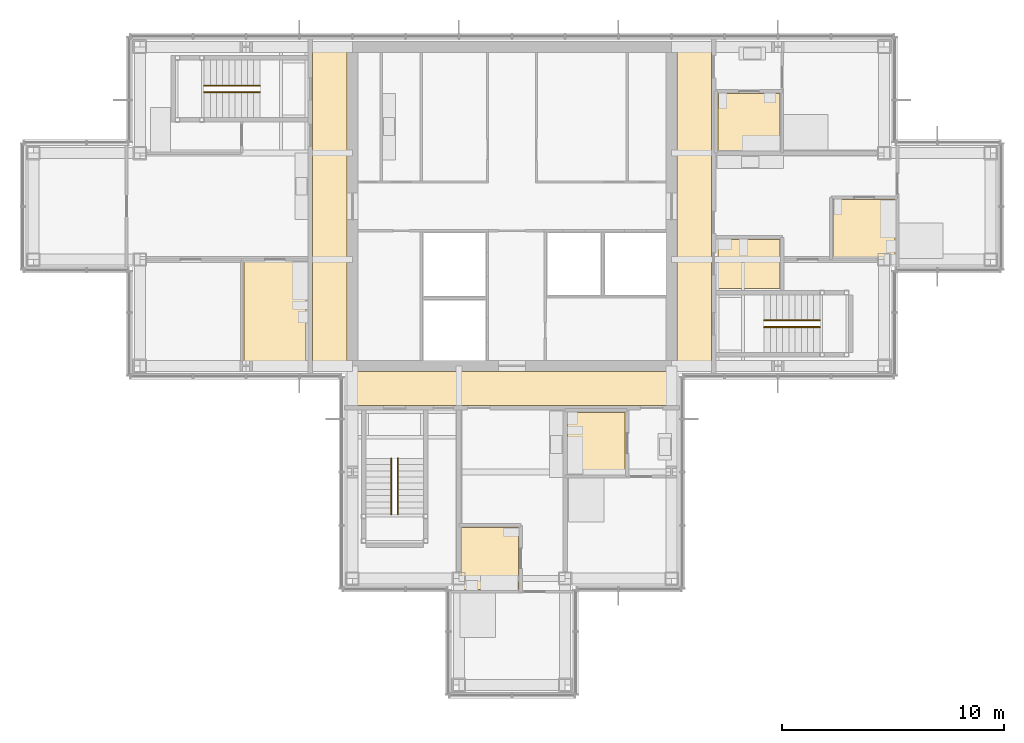
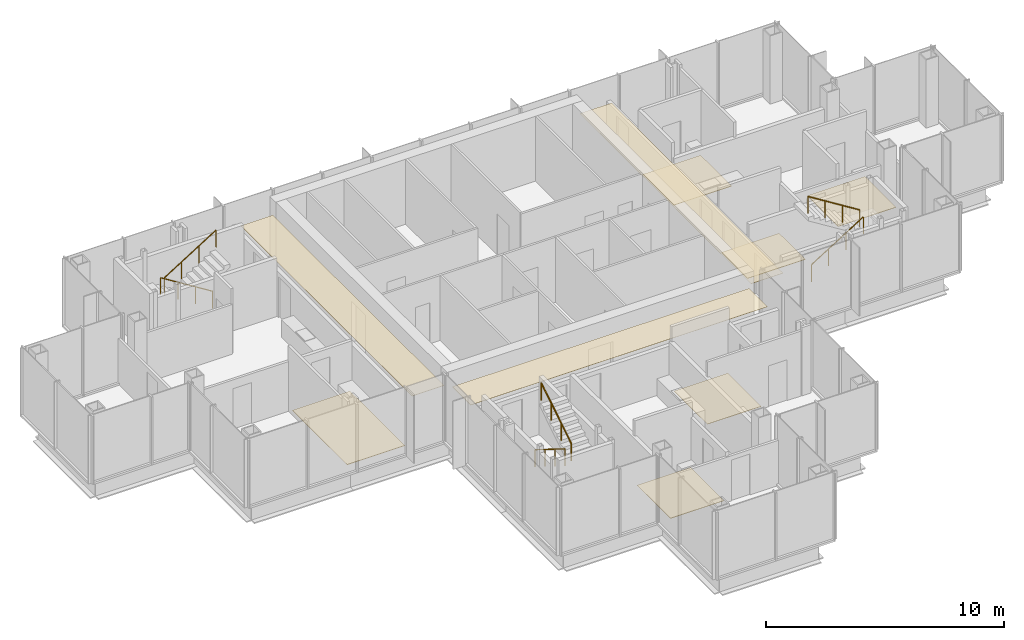
# One storey, part 13 of 15: 9 coverings, 6 railings.
"""IFC4 building model written with IfcOpenShell, lengths in metres."""

from ifc_helpers import new_model, si_unit, direction, frame, origin, origin_2d, place, context, subcontext, project, spatial, polyline, circle, outline, extrude, material, layer, layer_set, type_object, element, save


model = new_model("IFC4")

# Units and contexts
model_context = context("Model", 3, precision=1e-05, world=origin(), true_north=direction((0.0, 1.0)))
body_context = subcontext(model_context, "Body", "Model", "MODEL_VIEW")
ifc_project = project(units=[si_unit("LENGTHUNIT", "METRE"), si_unit("AREAUNIT", "SQUARE_METRE"), si_unit("VOLUMEUNIT", "CUBIC_METRE"), si_unit("PLANEANGLEUNIT", "RADIAN"), si_unit("MASSUNIT", "GRAM", prefix="KILO")], contexts=[model_context])

# Site, building, storey
site_placement = place(None, origin())
site = spatial("IfcSite", under=ifc_project, at=site_placement, CompositionType="ELEMENT")
building_placement = place(site_placement, origin())
building = spatial("IfcBuilding", under=site, at=building_placement, Name="Kvirike Care Tower", CompositionType="ELEMENT")
storey_placement = place(building_placement, frame((0.0, 0.0, 222.5)))
storey = spatial("IfcBuildingStorey", under=building, at=storey_placement, Name="L61", CompositionType="ELEMENT", Elevation=222.5)

# Coverings
ifc_material_1 = material(Name="Perforated metal ceiling tile", Category="aluminium")
ifc_layer_1 = layer(ifc_material_1, 0.014892578125)
ifc_layer_set_1 = layer_set([ifc_layer_1], Name="CORRIDOR CEILING 15")
covering_type_1 = type_object("IfcCoveringType", Name="CORRIDOR CEILING 15", PredefinedType="CEILING", material=ifc_layer_set_1)
covering_1_placement = place(storey_placement, frame((0.0, 0.0, 2.5)))
element("IfcCovering", 1, at=covering_1_placement, inside=storey, type_object=covering_type_1, Name="Corridor ceiling L61", PredefinedType="CEILING", context=body_context, shape_type="SweptSolid", body=[
    extrude(outline(polyline([(12.60009765625, 43.199951171875), (14.14990234375, 43.199951171875), (14.14990234375, 28.800048828125), (12.60009765625, 28.800048828125), (12.60009765625, 43.199951171875)])), origin(), (0.0, 0.0, 1.0), 0.014892578125),
])
covering_2_placement = place(storey_placement, frame((0.0, 0.0, 2.5)))
element("IfcCovering", 2, at=covering_2_placement, inside=storey, type_object=covering_type_1, Name="Corridor ceiling L61", PredefinedType="CEILING", context=body_context, shape_type="SweptSolid", body=[
    extrude(outline(polyline([(14.39990234375, 27.0), (14.39990234375, 28.550048828125), (28.800048828125, 28.550048828125), (28.800048828125, 27.0), (14.39990234375, 27.0)])), origin(), (0.0, 0.0, 1.0), 0.014892578125),
])
covering_3_placement = place(storey_placement, frame((0.0, 0.0, 2.5)))
element("IfcCovering", 3, at=covering_3_placement, inside=storey, type_object=covering_type_1, Name="Corridor ceiling L61", PredefinedType="CEILING", context=body_context, shape_type="SweptSolid", body=[
    extrude(outline(polyline([(30.60009765625, 28.800048828125), (29.050048828125, 28.800048828125), (29.050048828125, 43.199951171875), (30.60009765625, 43.199951171875), (30.60009765625, 28.800048828125)])), origin(), (0.0, 0.0, 1.0), 0.014892578125),
])

# Railings
ifc_material_2 = material(Name="Stainless steel handrail", Category="steel")
railing_type = type_object("IfcRailingType", Name="STAIR HANDRAIL 900", PredefinedType="HANDRAIL", material=ifc_material_2)
railing_1_placement = place(storey_placement, frame((10.219970703125, 41.449951171875, 0.175048828125)))
element("IfcRailing", 4, at=railing_1_placement, inside=storey, type_object=railing_type, Name="Stair 1 handrail L61 flight 1", PredefinedType="HANDRAIL", context=body_context, shape_type="SweptSolid", body=[
    extrude(circle(Radius=0.02490234375, at=origin_2d()), frame((0.0, 0.0, 0.875), z_axis=(-0.848007534815, 0.0, 0.529984170421), x_axis=(0.0, -1.0, 0.0)), (0.0, 0.0, 1.0), 2.9716796875),
    extrude(circle(Radius=0.02001953125, at=origin_2d()), origin(), (0.0, 0.0, 1.0), 0.849853515625),
    extrude(circle(Radius=0.02001953125, at=origin_2d()), frame((-0.840087890625, 0.0, 0.52490234375)), (0.0, 0.0, 1.0), 0.849853515625),
    extrude(circle(Radius=0.02001953125, at=origin_2d()), frame((-1.679931640625, 0.0, 1.050048828125)), (0.0, 0.0, 1.0), 0.849853515625),
    extrude(circle(Radius=0.02001953125, at=origin_2d()), frame((-2.52001953125, 0.0, 1.574951171875)), (0.0, 0.0, 1.0), 0.849853515625),
])
for number, where, name in (
    (5, (7.699951171875, 41.14990234375, 1.925048828125), "Stair 1 handrail L61 flight 2"),
    (6, (32.97998046875, 30.550048828125, 0.175048828125), "Stair 2 handrail L61 flight 1"),
):
    element("IfcRailing", number, at=place(storey_placement, frame(where)), inside=storey, type_object=railing_type, Name=name, PredefinedType="HANDRAIL", context=body_context, shape_type="SweptSolid", body=[
        extrude(circle(Radius=0.02490234375, at=origin_2d()), frame((0.0, 0.0, 0.875), z_axis=(0.848007534815, 0.0, 0.529984170421), x_axis=(0.0, 1.0, 0.0)), (0.0, 0.0, 1.0), 2.9716796875),
        extrude(circle(Radius=0.02001953125, at=origin_2d()), origin(), (0.0, 0.0, 1.0), 0.849853515625),
        extrude(circle(Radius=0.02001953125, at=origin_2d()), frame((0.840087890625, 0.0, 0.52490234375)), (0.0, 0.0, 1.0), 0.849853515625),
        extrude(circle(Radius=0.02001953125, at=origin_2d()), frame((1.679931640625, 0.0, 1.050048828125)), (0.0, 0.0, 1.0), 0.849853515625),
        extrude(circle(Radius=0.02001953125, at=origin_2d()), frame((2.52001953125, 0.0, 1.574951171875)), (0.0, 0.0, 1.0), 0.849853515625),
    ])
railing_2_placement = place(storey_placement, frame((35.5, 30.85009765625, 1.925048828125)))
element("IfcRailing", 7, at=railing_2_placement, inside=storey, type_object=railing_type, Name="Stair 2 handrail L61 flight 2", PredefinedType="HANDRAIL", context=body_context, shape_type="SweptSolid", body=[
    extrude(circle(Radius=0.02490234375, at=origin_2d()), frame((0.0, 0.0, 0.875), z_axis=(-0.848007534815, 0.0, 0.529984170421), x_axis=(0.0, -1.0, 0.0)), (0.0, 0.0, 1.0), 2.9716796875),
    extrude(circle(Radius=0.02001953125, at=origin_2d()), origin(), (0.0, 0.0, 1.0), 0.849853515625),
    extrude(circle(Radius=0.02001953125, at=origin_2d()), frame((-0.840087890625, 0.0, 0.52490234375)), (0.0, 0.0, 1.0), 0.849853515625),
    extrude(circle(Radius=0.02001953125, at=origin_2d()), frame((-1.679931640625, 0.0, 1.050048828125)), (0.0, 0.0, 1.0), 0.849853515625),
    extrude(circle(Radius=0.02001953125, at=origin_2d()), frame((-2.52001953125, 0.0, 1.574951171875)), (0.0, 0.0, 1.0), 0.849853515625),
])
railing_3_placement = place(storey_placement, frame((16.14990234375, 24.6201171875, 0.175048828125)))
element("IfcRailing", 8, at=railing_3_placement, inside=storey, type_object=railing_type, Name="Stair 5 handrail L61 flight 1", PredefinedType="HANDRAIL", context=body_context, shape_type="SweptSolid", body=[
    extrude(circle(Radius=0.02490234375, at=origin_2d()), frame((0.0, 0.0, 0.875), z_axis=(0.0, -0.848007534815, 0.529984170421), x_axis=(1.0, 0.0, 0.0)), (0.0, 0.0, 1.0), 2.9716796875),
    extrude(circle(Radius=0.02001953125, at=origin_2d()), origin(), (0.0, 0.0, 1.0), 0.849853515625),
    extrude(circle(Radius=0.02001953125, at=origin_2d()), frame((0.0, -0.840087890625, 0.52490234375)), (0.0, 0.0, 1.0), 0.849853515625),
    extrude(circle(Radius=0.02001953125, at=origin_2d()), frame((0.0, -1.679931640625, 1.050048828125)), (0.0, 0.0, 1.0), 0.849853515625),
    extrude(circle(Radius=0.02001953125, at=origin_2d()), frame((0.0, -2.52001953125, 1.574951171875)), (0.0, 0.0, 1.0), 0.849853515625),
])
railing_4_placement = place(storey_placement, frame((16.449951171875, 22.10009765625, 1.925048828125)))
element("IfcRailing", 9, at=railing_4_placement, inside=storey, type_object=railing_type, Name="Stair 5 handrail L61 flight 2", PredefinedType="HANDRAIL", context=body_context, shape_type="SweptSolid", body=[
    extrude(circle(Radius=0.02490234375, at=origin_2d()), frame((0.0, 0.0, 0.875), z_axis=(0.0, 0.848007534815, 0.529984170421), x_axis=(-1.0, 0.0, 0.0)), (0.0, 0.0, 1.0), 2.9716796875),
    extrude(circle(Radius=0.02001953125, at=origin_2d()), origin(), (0.0, 0.0, 1.0), 0.849853515625),
    extrude(circle(Radius=0.02001953125, at=origin_2d()), frame((0.0, 0.840087890625, 0.52490234375)), (0.0, 0.0, 1.0), 0.849853515625),
    extrude(circle(Radius=0.02001953125, at=origin_2d()), frame((0.0, 1.679931640625, 1.050048828125)), (0.0, 0.0, 1.0), 0.849853515625),
    extrude(circle(Radius=0.02001953125, at=origin_2d()), frame((0.0, 2.52001953125, 1.574951171875)), (0.0, 0.0, 1.0), 0.849853515625),
])

# Coverings
ifc_material_3 = material(Name="Slip-resistant vinyl safety flooring on screed")
ifc_layer_2 = layer(ifc_material_3, 0.02001953125)
ifc_layer_set_2 = layer_set([ifc_layer_2], Name="WET ROOM FLOOR 20")
covering_type_2 = type_object("IfcCoveringType", Name="WET ROOM FLOOR 20", PredefinedType="FLOORING", material=ifc_layer_set_2)
covering_4_placement = place(storey_placement, origin())
element("IfcCovering", 10, at=covering_4_placement, inside=storey, type_object=covering_type_2, Name="Bathroom floor L61-006", PredefinedType="FLOORING", context=body_context, shape_type="SweptSolid", body=[
    extrude(outline(polyline([(9.5, 33.5), (12.300048828125, 33.5), (12.300048828125, 28.89990234375), (9.5, 28.89990234375), (9.5, 33.5)])), origin(), (0.0, 0.0, 1.0), 0.02001953125),
])
covering_5_placement = place(storey_placement, origin())
element("IfcCovering", 11, at=covering_5_placement, inside=storey, type_object=covering_type_2, Name="Bathroom floor L61-012", PredefinedType="FLOORING", context=body_context, shape_type="SweptSolid", body=[
    extrude(outline(polyline([(19.300048828125, 18.699951171875), (19.300048828125, 21.5), (21.89990234375, 21.5), (21.89990234375, 18.699951171875), (19.300048828125, 18.699951171875)])), origin(), (0.0, 0.0, 1.0), 0.02001953125),
])
covering_6_placement = place(storey_placement, origin())
element("IfcCovering", 12, at=covering_6_placement, inside=storey, type_object=covering_type_2, Name="Bathroom floor L61-015", PredefinedType="FLOORING", context=body_context, shape_type="SweptSolid", body=[
    extrude(outline(polyline([(24.10009765625, 23.89990234375), (24.10009765625, 26.699951171875), (26.699951171875, 26.699951171875), (26.699951171875, 23.89990234375), (24.10009765625, 23.89990234375)])), origin(), (0.0, 0.0, 1.0), 0.02001953125),
])
covering_7_placement = place(storey_placement, origin())
element("IfcCovering", 13, at=covering_7_placement, inside=storey, type_object=covering_type_2, Name="Accessible WC floor L61-021", PredefinedType="FLOORING", context=body_context, shape_type="SweptSolid", body=[
    extrude(outline(polyline([(33.699951171875, 32.300048828125), (30.89990234375, 32.300048828125), (30.89990234375, 34.5), (33.699951171875, 34.5), (33.699951171875, 32.300048828125)])), origin(), (0.0, 0.0, 1.0), 0.02001953125),
])
covering_8_placement = place(storey_placement, origin())
element("IfcCovering", 14, at=covering_8_placement, inside=storey, type_object=covering_type_2, Name="Bathroom floor L61-022", PredefinedType="FLOORING", context=body_context, shape_type="SweptSolid", body=[
    extrude(outline(polyline([(38.89990234375, 33.699951171875), (36.10009765625, 33.699951171875), (36.10009765625, 36.300048828125), (38.89990234375, 36.300048828125), (38.89990234375, 33.699951171875)])), origin(), (0.0, 0.0, 1.0), 0.02001953125),
])
covering_9_placement = place(storey_placement, origin())
element("IfcCovering", 15, at=covering_9_placement, inside=storey, type_object=covering_type_2, Name="Bathroom floor L61-025", PredefinedType="FLOORING", context=body_context, shape_type="SweptSolid", body=[
    extrude(outline(polyline([(33.699951171875, 38.5), (30.89990234375, 38.5), (30.89990234375, 41.10009765625), (33.699951171875, 41.10009765625), (33.699951171875, 38.5)])), origin(), (0.0, 0.0, 1.0), 0.02001953125),
])

save(model, "model.ifc")
